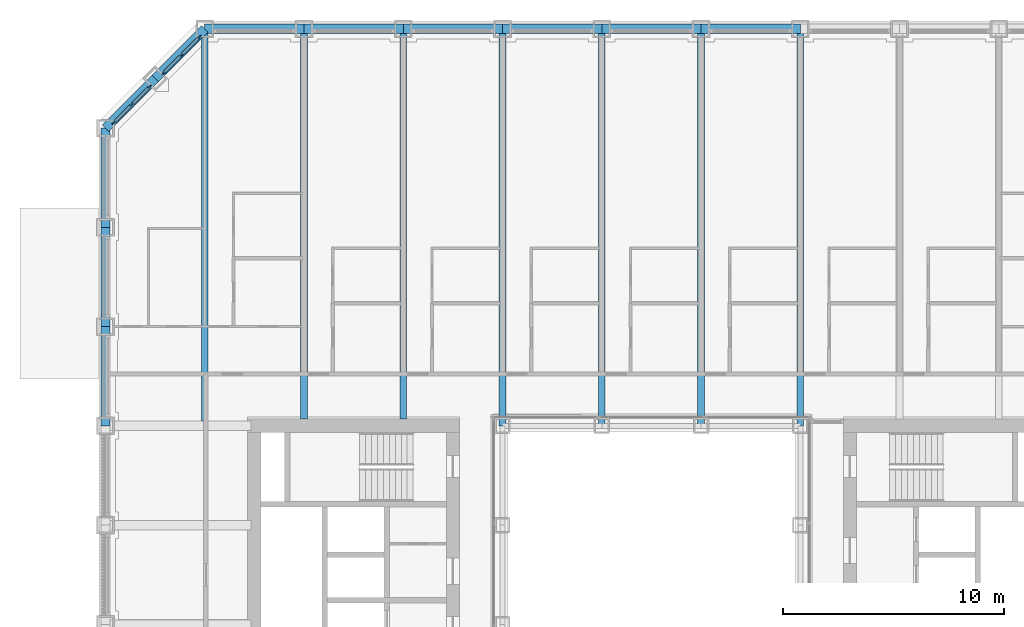
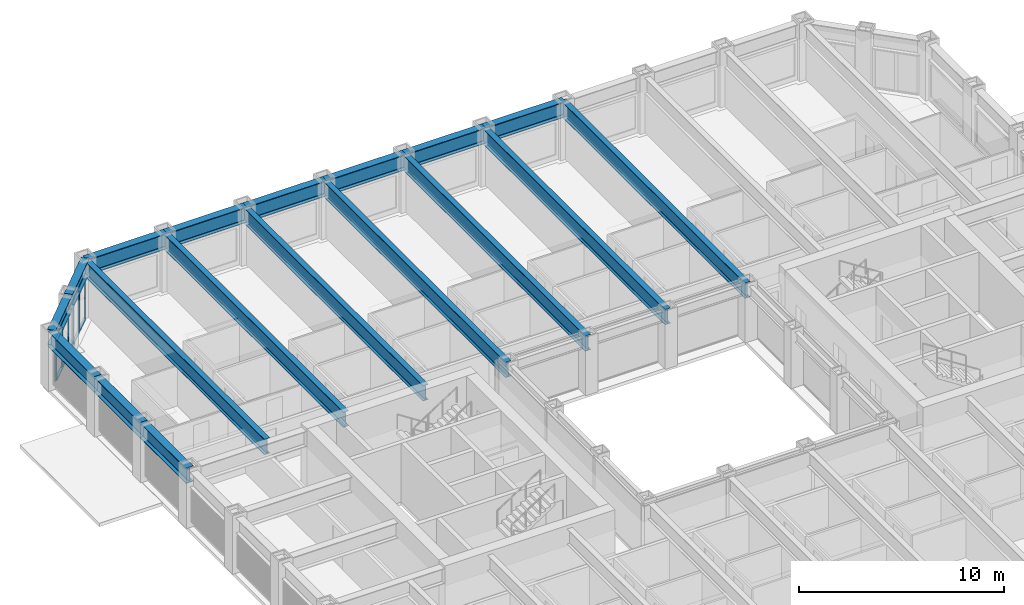
# One storey, part 6 of 24: 18 beams, 14 members, 2 elements without a shape of their own.
"""IFC4 building model written with IfcOpenShell, lengths in metres."""

from ifc_helpers import new_model, si_unit, direction, frame, origin, origin_2d, place, context, subcontext, project, spatial, rectangle, i_section, extrude, material, material_profile, profile_set, type_object, element, aggregate, save


model = new_model("IFC4")

# Units and contexts
model_context = context("Model", 3, precision=1e-05, world=origin(), true_north=direction((0.0, 1.0)))
body_context = subcontext(model_context, "Body", "Model", "MODEL_VIEW")
ifc_project = project(units=[si_unit("LENGTHUNIT", "METRE"), si_unit("AREAUNIT", "SQUARE_METRE"), si_unit("VOLUMEUNIT", "CUBIC_METRE"), si_unit("PLANEANGLEUNIT", "RADIAN"), si_unit("MASSUNIT", "GRAM", prefix="KILO")], contexts=[model_context])

# Site, building, storey
site_placement = place(None, origin())
site = spatial("IfcSite", under=ifc_project, at=site_placement, CompositionType="ELEMENT")
building_placement = place(site_placement, origin())
building = spatial("IfcBuilding", under=site, at=building_placement, Name="Msasa Ring Tower", CompositionType="ELEMENT")
storey_placement = place(building_placement, frame((0.0, 0.0, 26.5)))
storey = spatial("IfcBuildingStorey", under=building, at=storey_placement, Name="L05", CompositionType="ELEMENT", Elevation=26.5)

# Curtain wall, members
ifc_material_1 = material(Name="Aluminium curtain wall with clear glass", Category="aluminium")
curtain_wall_type = type_object("IfcCurtainWallType", Name="CW-C CHAMFER CORNER CURTAIN WALL", PredefinedType="NOTDEFINED", material=ifc_material_1)
curtain_wall_1_placement = place(storey_placement, origin())
curtain_wall_1 = element("IfcCurtainWall", 1, at=curtain_wall_1_placement, inside=storey, type_object=curtain_wall_type, Name="Chamfer corner curtain wall NW L05", PredefinedType="NOTDEFINED")
ifc_material_2 = material(Name="Aluminium mullion", Category="aluminium")
ifc_material_profile_1 = material_profile(ifc_material_2, rectangle(XDim=0.06494140625, YDim=0.179931640625, at=origin_2d()), Name="AL 65x180")
ifc_profile_set_1 = profile_set([ifc_material_profile_1], Name="Aluminium mullion")
member_type_1 = type_object("IfcMemberType", Name="CW-C MULLION 65x180", PredefinedType="MULLION", material=ifc_profile_set_1)
member_1_placement = place(storey_placement, frame((-22.73876953125, 22.119873046875, 0.0), z_axis=(0.0, 0.0, 1.0), x_axis=(0.707106781187, -0.707106781187, 0.0)))
member_1 = element("IfcMember", 2, at=member_1_placement, type_object=member_type_1, Name="CW-C mullion 1", PredefinedType="MULLION", context=body_context, shape_type="SweptSolid", body=[
    extrude(rectangle(XDim=0.06494140625, YDim=0.179931640625, at=origin_2d()), origin(), (0.0, 0.0, 1.0), 2.37890625),
])
member_2_placement = place(storey_placement, frame((-23.55419921875, 21.30419921875, 0.0), z_axis=(0.0, 0.0, 1.0), x_axis=(0.707106781187, -0.707106781187, 0.0)))
member_2 = element("IfcMember", 3, at=member_2_placement, type_object=member_type_1, Name="CW-C mullion 2", PredefinedType="MULLION", context=body_context, shape_type="SweptSolid", body=[
    extrude(rectangle(XDim=0.06494140625, YDim=0.179931640625, at=origin_2d()), origin(), (0.0, 0.0, 1.0), 2.37890625),
])
member_3_placement = place(storey_placement, frame((-24.369873046875, 20.48876953125, 0.0), z_axis=(0.0, 0.0, 1.0), x_axis=(0.707106781187, -0.707106781187, 0.0)))
member_3 = element("IfcMember", 4, at=member_3_placement, type_object=member_type_1, Name="CW-C mullion 3", PredefinedType="MULLION", context=body_context, shape_type="SweptSolid", body=[
    extrude(rectangle(XDim=0.06494140625, YDim=0.179931640625, at=origin_2d()), origin(), (0.0, 0.0, 1.0), 2.37890625),
])

curtain_wall_2_placement = place(storey_placement, origin())
curtain_wall_2 = element("IfcCurtainWall", 5, at=curtain_wall_2_placement, inside=storey, type_object=curtain_wall_type, Name="Chamfer corner curtain wall NW L05", PredefinedType="NOTDEFINED")
member_4_placement = place(storey_placement, frame((-20.48876953125, 24.369873046875, 0.0), z_axis=(0.0, 0.0, 1.0), x_axis=(0.707106781187, -0.707106781187, 0.0)))
member_4 = element("IfcMember", 6, at=member_4_placement, type_object=member_type_1, Name="CW-C mullion 1", PredefinedType="MULLION", context=body_context, shape_type="SweptSolid", body=[
    extrude(rectangle(XDim=0.06494140625, YDim=0.179931640625, at=origin_2d()), origin(), (0.0, 0.0, 1.0), 2.37890625),
])
member_5_placement = place(storey_placement, frame((-21.30419921875, 23.55419921875, 0.0), z_axis=(0.0, 0.0, 1.0), x_axis=(0.707106781187, -0.707106781187, 0.0)))
member_5 = element("IfcMember", 7, at=member_5_placement, type_object=member_type_1, Name="CW-C mullion 2", PredefinedType="MULLION", context=body_context, shape_type="SweptSolid", body=[
    extrude(rectangle(XDim=0.06494140625, YDim=0.179931640625, at=origin_2d()), origin(), (0.0, 0.0, 1.0), 2.37890625),
])
member_6_placement = place(storey_placement, frame((-22.119873046875, 22.73876953125, 0.0), z_axis=(0.0, 0.0, 1.0), x_axis=(0.707106781187, -0.707106781187, 0.0)))
member_6 = element("IfcMember", 8, at=member_6_placement, type_object=member_type_1, Name="CW-C mullion 3", PredefinedType="MULLION", context=body_context, shape_type="SweptSolid", body=[
    extrude(rectangle(XDim=0.06494140625, YDim=0.179931640625, at=origin_2d()), origin(), (0.0, 0.0, 1.0), 2.37890625),
])

# Member
ifc_material_3 = material(Name="Aluminium transom", Category="aluminium")
ifc_material_profile_2 = material_profile(ifc_material_3, rectangle(XDim=0.139892578125, YDim=0.06494140625, at=origin_2d()), Name="AL 65x140")
ifc_profile_set_2 = profile_set([ifc_material_profile_2], Name="Aluminium transom")
member_type_2 = type_object("IfcMemberType", Name="CW-C TRANSOM 65x140", PredefinedType="USERDEFINED", material=ifc_profile_set_2)
member_7_placement = place(storey_placement, frame((-22.76171875, 22.096923828125, 0.032470703125), z_axis=(-0.707106781187, -0.707106781187, 0.0), x_axis=(0.707106781187, -0.707106781187, 0.0)))
member_7 = element("IfcMember", 9, at=member_7_placement, type_object=member_type_2, Name="CW-C transom 1.1", ObjectType="TRANSOM", PredefinedType="USERDEFINED", context=body_context, shape_type="SweptSolid", body=[
    extrude(rectangle(XDim=0.139892578125, YDim=0.06494140625, at=origin_2d()), origin(), (0.0, 0.0, 1.0), 1.08837890625),
])

member_8_placement = place(storey_placement, frame((-22.76171875, 22.096923828125, 2.346435546875), z_axis=(-0.707106781187, -0.707106781187, 0.0), x_axis=(0.707106781187, -0.707106781187, 0.0)))
member_8 = element("IfcMember", 10, at=member_8_placement, type_object=member_type_2, Name="CW-C transom 1.2", ObjectType="TRANSOM", PredefinedType="USERDEFINED", context=body_context, shape_type="SweptSolid", body=[
    extrude(rectangle(XDim=0.139892578125, YDim=0.06494140625, at=origin_2d()), origin(), (0.0, 0.0, 1.0), 1.08837890625),
])

member_9_placement = place(storey_placement, frame((-23.577392578125, 21.28125, 0.032470703125), z_axis=(-0.707106781187, -0.707106781187, 0.0), x_axis=(0.707106781187, -0.707106781187, 0.0)))
member_9 = element("IfcMember", 11, at=member_9_placement, type_object=member_type_2, Name="CW-C transom 2.1", ObjectType="TRANSOM", PredefinedType="USERDEFINED", context=body_context, shape_type="SweptSolid", body=[
    extrude(rectangle(XDim=0.139892578125, YDim=0.06494140625, at=origin_2d()), origin(), (0.0, 0.0, 1.0), 1.08837890625),
])

member_10_placement = place(storey_placement, frame((-23.577392578125, 21.28125, 2.346435546875), z_axis=(-0.707106781187, -0.707106781187, 0.0), x_axis=(0.707106781187, -0.707106781187, 0.0)))
member_10 = element("IfcMember", 12, at=member_10_placement, type_object=member_type_2, Name="CW-C transom 2.2", ObjectType="TRANSOM", PredefinedType="USERDEFINED", context=body_context, shape_type="SweptSolid", body=[
    extrude(rectangle(XDim=0.139892578125, YDim=0.06494140625, at=origin_2d()), origin(), (0.0, 0.0, 1.0), 1.08837890625),
])

aggregate(curtain_wall_1, [member_1, member_2, member_3, member_7, member_8, member_9, member_10])

member_11_placement = place(storey_placement, frame((-20.51171875, 24.346923828125, 0.032470703125), z_axis=(-0.707106781187, -0.707106781187, 0.0), x_axis=(0.707106781187, -0.707106781187, 0.0)))
member_11 = element("IfcMember", 13, at=member_11_placement, type_object=member_type_2, Name="CW-C transom 1.1", ObjectType="TRANSOM", PredefinedType="USERDEFINED", context=body_context, shape_type="SweptSolid", body=[
    extrude(rectangle(XDim=0.139892578125, YDim=0.06494140625, at=origin_2d()), origin(), (0.0, 0.0, 1.0), 1.08837890625),
])

member_12_placement = place(storey_placement, frame((-20.51171875, 24.346923828125, 2.346435546875), z_axis=(-0.707106781187, -0.707106781187, 0.0), x_axis=(0.707106781187, -0.707106781187, 0.0)))
member_12 = element("IfcMember", 14, at=member_12_placement, type_object=member_type_2, Name="CW-C transom 1.2", ObjectType="TRANSOM", PredefinedType="USERDEFINED", context=body_context, shape_type="SweptSolid", body=[
    extrude(rectangle(XDim=0.139892578125, YDim=0.06494140625, at=origin_2d()), origin(), (0.0, 0.0, 1.0), 1.08837890625),
])

member_13_placement = place(storey_placement, frame((-21.327392578125, 23.53125, 0.032470703125), z_axis=(-0.707106781187, -0.707106781187, 0.0), x_axis=(0.707106781187, -0.707106781187, 0.0)))
member_13 = element("IfcMember", 15, at=member_13_placement, type_object=member_type_2, Name="CW-C transom 2.1", ObjectType="TRANSOM", PredefinedType="USERDEFINED", context=body_context, shape_type="SweptSolid", body=[
    extrude(rectangle(XDim=0.139892578125, YDim=0.06494140625, at=origin_2d()), origin(), (0.0, 0.0, 1.0), 1.08837890625),
])

member_14_placement = place(storey_placement, frame((-21.327392578125, 23.53125, 2.346435546875), z_axis=(-0.707106781187, -0.707106781187, 0.0), x_axis=(0.707106781187, -0.707106781187, 0.0)))
member_14 = element("IfcMember", 16, at=member_14_placement, type_object=member_type_2, Name="CW-C transom 2.2", ObjectType="TRANSOM", PredefinedType="USERDEFINED", context=body_context, shape_type="SweptSolid", body=[
    extrude(rectangle(XDim=0.139892578125, YDim=0.06494140625, at=origin_2d()), origin(), (0.0, 0.0, 1.0), 1.08837890625),
])

aggregate(curtain_wall_2, [member_4, member_5, member_6, member_11, member_12, member_13, member_14])

# Beams
ifc_material_4 = material(Name="Steel S355", Category="steel")
ifc_material_profile_3 = material_profile(ifc_material_4, i_section(OverallWidth=0.3076171875, OverallDepth=0.926513671875, WebThickness=0.01953125, FlangeThickness=0.031982421875, FilletRadius=0.01904296875, at=origin_2d()), Name="UB 914x305x289")
ifc_profile_set_3 = profile_set([ifc_material_profile_3], Name="Steel S355")
beam_type_1 = type_object("IfcBeamType", Name="FB3 UB 914x305x289", PredefinedType="BEAM", material=ifc_profile_set_3)
beam_placement = place(storey_placement, frame((-20.25, 24.75, 2.836669921875), z_axis=(0.0, -1.0, 0.0), x_axis=(1.0, 0.0, 0.0)))
element("IfcBeam", 17, at=beam_placement, inside=storey, type_object=beam_type_1, Name="Floor beam N-20.25 under L06", PredefinedType="BEAM", context=body_context, shape_type="SweptSolid", body=[
    extrude(i_section(OverallWidth=0.3076171875, OverallDepth=0.926513671875, WebThickness=0.01953125, FlangeThickness=0.031982421875, FilletRadius=0.01904296875, at=origin_2d()), origin(), (0.0, 0.0, 1.0), 17.789794921875),
])
for number, where, z_axis, x_axis, name in (
    (18, (-15.75, 24.75, 2.836669921875), (0.0, -1.0, 0.0), (1.0, 0.0, 0.0), "Floor beam N-15.75 under L06"),
    (19, (-11.25, 24.75, 2.836669921875), (0.0, -1.0, 0.0), (1.0, 0.0, 0.0), "Floor beam N-11.25 under L06"),
):
    element("IfcBeam", number, at=place(storey_placement, frame(where, z_axis=z_axis, x_axis=x_axis)), inside=storey, type_object=beam_type_1, Name=name, PredefinedType="BEAM", context=body_context, shape_type="SweptSolid", body=[
        extrude(i_section(OverallWidth=0.3076171875, OverallDepth=0.926513671875, WebThickness=0.01953125, FlangeThickness=0.031982421875, FilletRadius=0.01904296875, at=origin_2d()), origin(), (0.0, 0.0, 1.0), 17.699951171875),
    ])
for number, where, z_axis, x_axis, name in (
    (20, (-6.75, 24.75, 2.836669921875), (0.0, -1.0, 0.0), (1.0, 0.0, 0.0), "Floor beam N-6.75 under L06"),
    (21, (-2.25, 24.75, 2.836669921875), (0.0, -1.0, 0.0), (1.0, 0.0, 0.0), "Floor beam N-2.25 under L06"),
    (22, (2.25, 24.75, 2.836669921875), (0.0, -1.0, 0.0), (1.0, 0.0, 0.0), "Floor beam N+2.25 under L06"),
    (23, (6.75, 24.75, 2.836669921875), (0.0, -1.0, 0.0), (1.0, 0.0, 0.0), "Floor beam N+6.75 under L06"),
):
    element("IfcBeam", number, at=place(storey_placement, frame(where, z_axis=z_axis, x_axis=x_axis)), inside=storey, type_object=beam_type_1, Name=name, PredefinedType="BEAM", context=body_context, shape_type="SweptSolid", body=[
        extrude(i_section(OverallWidth=0.3076171875, OverallDepth=0.926513671875, WebThickness=0.01953125, FlangeThickness=0.031982421875, FilletRadius=0.01904296875, at=origin_2d()), origin(), (0.0, 0.0, 1.0), 18.0),
    ])
ifc_material_5 = material(Name="Steel S355", Category="steel")
ifc_material_profile_4 = material_profile(ifc_material_5, i_section(OverallWidth=0.42041015625, OverallDepth=0.9208984375, WebThickness=0.021484375, FlangeThickness=0.03662109375, FilletRadius=0.024169921875, at=origin_2d()), Name="UB 914x419x388")
ifc_profile_set_4 = profile_set([ifc_material_profile_4], Name="Steel S355")
beam_type_2 = type_object("IfcBeamType", Name="SB1 UB 914x419x388", PredefinedType="SPANDREL", material=ifc_profile_set_4)
for number, where, z_axis, x_axis, name in (
    (24, (6.75, 24.75, 2.839599609375), (-1.0, 0.0, 0.0), (0.0, -1.0, 0.0), "Spandrel N+6.75 to N+2.25 under L06"),
    (25, (2.25, 24.75, 2.839599609375), (-1.0, 0.0, 0.0), (0.0, -1.0, 0.0), "Spandrel N+2.25 to N-2.25 under L06"),
    (26, (-2.25, 24.75, 2.839599609375), (-1.0, 0.0, 0.0), (0.0, -1.0, 0.0), "Spandrel N-2.25 to N-6.75 under L06"),
    (27, (-6.75, 24.75, 2.839599609375), (-1.0, 0.0, 0.0), (0.0, -1.0, 0.0), "Spandrel N-6.75 to N-11.25 under L06"),
    (28, (-11.25, 24.75, 2.839599609375), (-1.0, 0.0, 0.0), (0.0, -1.0, 0.0), "Spandrel N-11.25 to N-15.75 under L06"),
    (29, (-15.75, 24.75, 2.839599609375), (-1.0, 0.0, 0.0), (0.0, -1.0, 0.0), "Spandrel N-15.75 to N-20.25 under L06"),
):
    element("IfcBeam", number, at=place(storey_placement, frame(where, z_axis=z_axis, x_axis=x_axis)), inside=storey, type_object=beam_type_2, Name=name, PredefinedType="SPANDREL", context=body_context, shape_type="SweptSolid", body=[
        extrude(i_section(OverallWidth=0.42041015625, OverallDepth=0.9208984375, WebThickness=0.021484375, FlangeThickness=0.03662109375, FilletRadius=0.024169921875, at=origin_2d()), origin(), (0.0, 0.0, 1.0), 4.5),
    ])
for number, where, z_axis, x_axis, name in (
    (30, (-20.25, 24.75, 2.839599609375), (-0.707106781187, -0.707106781187, 0.0), (0.707106781187, -0.707106781187, 0.0), "Spandrel N-20.25 to NW under L06"),
    (31, (-22.5, 22.5, 2.839599609375), (-0.707106781187, -0.707106781187, 0.0), (0.707106781187, -0.707106781187, 0.0), "Spandrel NW to W+20.25 under L06"),
):
    element("IfcBeam", number, at=place(storey_placement, frame(where, z_axis=z_axis, x_axis=x_axis)), inside=storey, type_object=beam_type_2, Name=name, PredefinedType="SPANDREL", context=body_context, shape_type="SweptSolid", body=[
        extrude(i_section(OverallWidth=0.42041015625, OverallDepth=0.9208984375, WebThickness=0.021484375, FlangeThickness=0.03662109375, FilletRadius=0.024169921875, at=origin_2d()), origin(), (0.0, 0.0, 1.0), 3.181884765625),
    ])
for number, where, z_axis, x_axis, name in (
    (32, (-24.75, 20.25, 2.839599609375), (0.0, -1.0, 0.0), (1.0, 0.0, 0.0), "Spandrel W+20.25 to W+15.75 under L06"),
    (33, (-24.75, 15.75, 2.839599609375), (0.0, -1.0, 0.0), (1.0, 0.0, 0.0), "Spandrel W+15.75 to W+11.25 under L06"),
    (34, (-24.75, 11.25, 2.839599609375), (0.0, -1.0, 0.0), (1.0, 0.0, 0.0), "Spandrel W+11.25 to W+6.75 under L06"),
):
    element("IfcBeam", number, at=place(storey_placement, frame(where, z_axis=z_axis, x_axis=x_axis)), inside=storey, type_object=beam_type_2, Name=name, PredefinedType="SPANDREL", context=body_context, shape_type="SweptSolid", body=[
        extrude(i_section(OverallWidth=0.42041015625, OverallDepth=0.9208984375, WebThickness=0.021484375, FlangeThickness=0.03662109375, FilletRadius=0.024169921875, at=origin_2d()), origin(), (0.0, 0.0, 1.0), 4.5),
    ])

save(model, "model.ifc")
